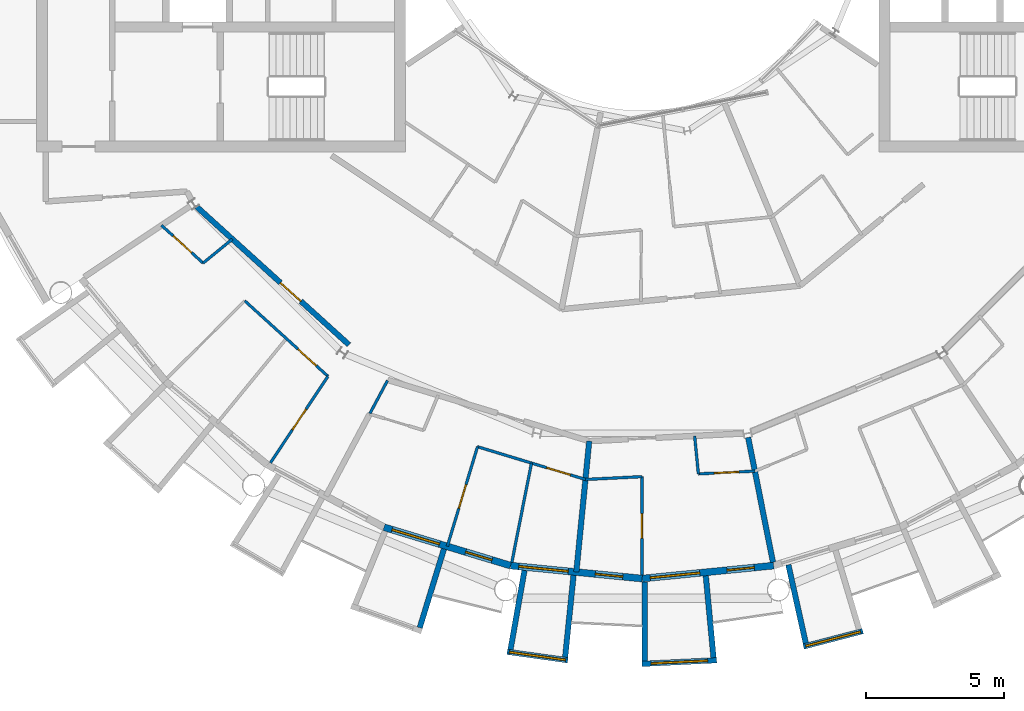
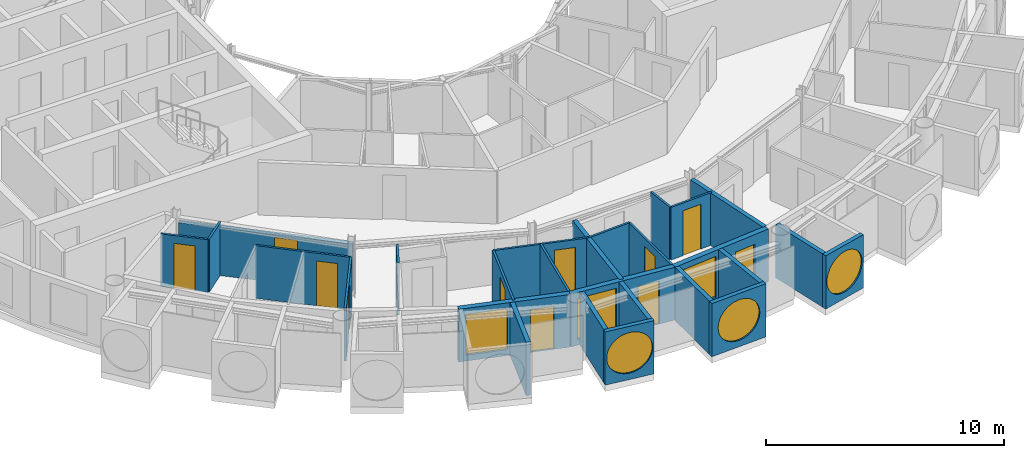
# One storey, part 14 of 27: 27 walls, 11 doors, 6 windows, 17 openings.
"""IFC4 building model written with IfcOpenShell, lengths in metres."""

from ifc_helpers import new_model, si_unit, direction, frame, frame_2d, origin, place, context, subcontext, project, spatial, rectangle, circle, extrude, material, layer, layer_set, type_object, element, fill, save


model = new_model("IFC4")

# Units and contexts
model_context = context("Model", 3, precision=1e-05, world=origin(), true_north=direction((0.0, 1.0)))
body_context = subcontext(model_context, "Body", "Model", "MODEL_VIEW")
ifc_project = project(units=[si_unit("LENGTHUNIT", "METRE"), si_unit("AREAUNIT", "SQUARE_METRE"), si_unit("VOLUMEUNIT", "CUBIC_METRE"), si_unit("PLANEANGLEUNIT", "RADIAN"), si_unit("MASSUNIT", "GRAM", prefix="KILO")], contexts=[model_context])

# Site, building, storey
site_placement = place(None, origin())
site = spatial("IfcSite", under=ifc_project, at=site_placement, CompositionType="ELEMENT")
building_placement = place(site_placement, origin())
building = spatial("IfcBuilding", under=site, at=building_placement, Name="Maasbend Ring Residences", CompositionType="ELEMENT")
storey_placement = place(building_placement, frame((0.0, 0.0, 240.14990234375)))
storey = spatial("IfcBuildingStorey", under=building, at=storey_placement, Name="L69", CompositionType="ELEMENT", Elevation=240.14990234375)

# Wall, opening, door
ifc_material_1 = material(Name="Concrete C30/37", Category="concrete")
ifc_layer_1 = layer(ifc_material_1, 0.199951171875)
ifc_layer_set_1 = layer_set([ifc_layer_1], Name="Concrete C30/37")
wall_type_1 = type_object("IfcWallType", Name="CORRIDOR WALL 200 CONCRETE", PredefinedType="PARTITIONING", material=ifc_layer_set_1)
wall_1_placement = place(storey_placement, frame((-16.181884765625, -10.992919921875, 0.0), z_axis=(0.0, 0.0, 1.0), x_axis=(0.740939653983, -0.671571611339, 0.0)))
wall_1 = element("IfcWall", 1, at=wall_1_placement, inside=storey, type_object=wall_type_1, Name="U-L69-w019", PredefinedType="PARTITIONING", context=body_context, shape_type="SweptSolid", body=[
    extrude(rectangle(XDim=7.46484375, YDim=0.199951171875, at=frame_2d((3.732421875, 0.0))), origin(), (0.0, 0.0, 1.0), 2.4501953125),
])
opening_1_placement = place(wall_1_placement, frame((4.10693359375, 0.0, 0.0)))
opening_1 = element("IfcOpeningElement", 2, at=opening_1_placement, cuts=wall_1, Name="Opening D-6932", PredefinedType="OPENING", context=body_context, shape_type="SweptSolid", body=[
    extrude(rectangle(XDim=1.0, YDim=2.300048828125, at=frame_2d((0.5, 1.14990234375))), frame((0.0, 0.10986328125, 0.0), z_axis=(0.0, -1.0, 0.0), x_axis=(1.0, 0.0, 0.0)), (0.0, 0.0, 1.0), 0.219970703125),
])
ifc_material_2 = material(Name="Timber, fire-rated, painted", Category="wood")
door_type_1 = type_object("IfcDoorType", Name="FLAT ENTRANCE DOOR 1000 X 2300 FIRE-RATED", OperationType="NOTDEFINED", PredefinedType="DOOR", material=ifc_material_2)
door_1_placement = place(opening_1_placement, origin())
door_1 = element("IfcDoor", 3, at=door_1_placement, inside=storey, type_object=door_type_1, Name="D-6932", OperationType="SINGLE_SWING_RIGHT", OverallHeight=2.300048828125, OverallWidth=1.0, PredefinedType="DOOR", context=body_context, shape_type="SweptSolid", body=[
    extrude(rectangle(XDim=1.0, YDim=2.300048828125, at=frame_2d((0.5, 1.14990234375))), frame((0.0, 0.02490234375, 0.0), z_axis=(0.0, -1.0, 0.0), x_axis=(1.0, 0.0, 0.0)), (0.0, 0.0, 1.0), 0.050048828125),
])
fill(opening_1, door_1)

# Wall
ifc_material_3 = material(Name="Pale anodised aluminium panel", Category="aluminium")
ifc_layer_2 = layer(ifc_material_3, 0.199951171875)
ifc_layer_set_2 = layer_set([ifc_layer_2], Name="EW-BOX")
wall_type_2 = type_object("IfcWallType", Name="EW-BOX", PredefinedType="SOLIDWALL", material=ifc_layer_set_2)
wall_2_placement = place(storey_placement, frame((-7.198974609375, -23.426025390625, -0.02978515625), z_axis=(0.0, 0.0, 1.0), x_axis=(-0.293764720054, -0.95587775853, 0.0)))
element("IfcWall", 4, at=wall_2_placement, inside=storey, type_object=wall_type_2, Name="Box side wall S07 right", PredefinedType="SOLIDWALL", context=body_context, shape_type="SweptSolid", body=[
    extrude(rectangle(XDim=2.991943359375, YDim=0.199951171875, at=frame_2d((1.49609375, 0.0))), origin(), (0.0, 0.0, 1.0), 2.72998046875),
])

# Wall, opening, window
wall_3_placement = place(storey_placement, frame((-4.90087890625, -27.160888671875, -0.02978515625), z_axis=(0.0, 0.0, 1.0), x_axis=(0.990395097224, -0.138266233748, 0.0)))
wall_3 = element("IfcWall", 5, at=wall_3_placement, inside=storey, type_object=wall_type_2, Name="Box front S09", PredefinedType="SOLIDWALL", context=body_context, shape_type="SweptSolid", body=[
    extrude(rectangle(XDim=2.22119140625, YDim=0.199951171875, at=frame_2d((1.110595703125, 0.0))), origin(), (0.0, 0.0, 1.0), 2.72998046875),
])
opening_2_placement = place(wall_3_placement, frame((0.070556640625, 0.0, 0.330078125)))
opening_2 = element("IfcOpeningElement", 6, at=opening_2_placement, cuts=wall_3, Name="Opening W-RD", PredefinedType="OPENING", context=body_context, shape_type="SweptSolid", body=[
    extrude(circle(Radius=1.0400390625, at=frame_2d((1.0400390625, 1.0400390625))), frame((0.0, 0.10986328125, 0.0), z_axis=(0.0, -1.0, 0.0), x_axis=(1.0, 0.0, 0.0)), (0.0, 0.0, 1.0), 0.219970703125),
])
ifc_material_4 = material(Name="Aluminium and clear glass", Category="aluminium")
window_type_1 = type_object("IfcWindowType", Name="W-RD", PartitioningType="SINGLE_PANEL", PredefinedType="WINDOW", material=ifc_material_4)
window_1_placement = place(opening_2_placement, origin())
window_1 = element("IfcWindow", 7, at=window_1_placement, inside=storey, type_object=window_type_1, Name="Round window S09", OverallHeight=2.080078125, OverallWidth=2.080078125, PartitioningType="SINGLE_PANEL", PredefinedType="WINDOW", context=body_context, shape_type="SweptSolid", body=[
    extrude(circle(Radius=1.0400390625, at=frame_2d((1.0400390625, 1.0400390625))), frame((0.0, 0.030029296875, 0.0), z_axis=(0.0, -1.0, 0.0), x_axis=(1.0, 0.0, 0.0)), (0.0, 0.0, 1.0), 0.06005859375),
])
fill(opening_2, window_1)

# Walls
wall_4_placement = place(storey_placement, frame((-4.27392578125, -24.205078125, -0.02978515625), z_axis=(0.0, 0.0, 1.0), x_axis=(-0.173637488752, -0.984809637697, 0.0)))
element("IfcWall", 8, at=wall_4_placement, inside=storey, type_object=wall_type_2, Name="Box side wall S09 left", PredefinedType="SOLIDWALL", context=body_context, shape_type="SweptSolid", body=[
    extrude(rectangle(XDim=2.92041015625, YDim=0.199951171875, at=frame_2d((1.460205078125, 0.0))), origin(), (0.0, 0.0, 1.0), 2.72998046875),
])
wall_5_placement = place(storey_placement, frame((-2.489990234375, -24.3798828125, -0.02978515625), z_axis=(0.0, 0.0, 1.0), x_axis=(-0.101894312119, -0.994795229762, 0.0)))
element("IfcWall", 9, at=wall_5_placement, inside=storey, type_object=wall_type_2, Name="Box side wall S09 right", PredefinedType="SOLIDWALL", context=body_context, shape_type="SweptSolid", body=[
    extrude(rectangle(XDim=2.99267578125, YDim=0.199951171875, at=frame_2d((1.496337890625, 0.0))), origin(), (0.0, 0.0, 1.0), 2.72998046875),
])

# Wall, opening, window
wall_6_placement = place(storey_placement, frame((-0.0048828125, -27.60009765625, -0.02978515625), z_axis=(0.0, 0.0, 1.0), x_axis=(0.998801130548, 0.048952033826, 0.0)))
wall_6 = element("IfcWall", 10, at=wall_6_placement, inside=storey, type_object=wall_type_2, Name="Box front S11", PredefinedType="SOLIDWALL", context=body_context, shape_type="SweptSolid", body=[
    extrude(rectangle(XDim=2.718017578125, YDim=0.199951171875, at=frame_2d((1.35888671875, 0.0))), origin(), (0.0, 0.0, 1.0), 2.72998046875),
])
opening_3_placement = place(wall_6_placement, frame((0.319091796875, 0.0, 0.330078125)))
opening_3 = element("IfcOpeningElement", 11, at=opening_3_placement, cuts=wall_6, Name="Opening W-RD", PredefinedType="OPENING", context=body_context, shape_type="SweptSolid", body=[
    extrude(circle(Radius=1.0400390625, at=frame_2d((1.0400390625, 1.0400390625))), frame((0.0, 0.10986328125, 0.0), z_axis=(0.0, -1.0, 0.0), x_axis=(1.0, 0.0, 0.0)), (0.0, 0.0, 1.0), 0.219970703125),
])
window_2_placement = place(opening_3_placement, origin())
window_2 = element("IfcWindow", 12, at=window_2_placement, inside=storey, type_object=window_type_1, Name="Round window S11", OverallHeight=2.080078125, OverallWidth=2.080078125, PartitioningType="SINGLE_PANEL", PredefinedType="WINDOW", context=body_context, shape_type="SweptSolid", body=[
    extrude(circle(Radius=1.0400390625, at=frame_2d((1.0400390625, 1.0400390625))), frame((0.0, 0.030029296875, 0.0), z_axis=(0.0, -1.0, 0.0), x_axis=(1.0, 0.0, 0.0)), (0.0, 0.0, 1.0), 0.06005859375),
])
fill(opening_3, window_2)

# Walls
wall_7_placement = place(storey_placement, frame((0.089111328125, -24.616943359375, -0.02978515625), z_axis=(0.0, 0.0, 1.0), x_axis=(0.003811916396, -0.99999273462, 0.0)))
element("IfcWall", 13, at=wall_7_placement, inside=storey, type_object=wall_type_2, Name="Box side wall S11 left", PredefinedType="SOLIDWALL", context=body_context, shape_type="SweptSolid", body=[
    extrude(rectangle(XDim=2.882080078125, YDim=0.199951171875, at=frame_2d((1.44091796875, 0.0))), origin(), (0.0, 0.0, 1.0), 2.72998046875),
])
wall_8_placement = place(storey_placement, frame((2.31396484375, -24.39794921875, -0.02978515625), z_axis=(0.0, 0.0, 1.0), x_axis=(0.094235386483, -0.99554994447, 0.0)))
element("IfcWall", 14, at=wall_8_placement, inside=storey, type_object=wall_type_2, Name="Box side wall S11 right", PredefinedType="SOLIDWALL", context=body_context, shape_type="SweptSolid", body=[
    extrude(rectangle(XDim=2.992431640625, YDim=0.199951171875, at=frame_2d((1.49609375, 0.0))), origin(), (0.0, 0.0, 1.0), 2.72998046875),
])

# Wall, opening, window
wall_9_placement = place(storey_placement, frame((5.865966796875, -26.969970703125, -0.02978515625), z_axis=(0.0, 0.0, 1.0), x_axis=(0.967710555359, 0.252064041557, 0.0)))
wall_9 = element("IfcWall", 15, at=wall_9_placement, inside=storey, type_object=wall_type_2, Name="Box front S13", PredefinedType="SOLIDWALL", context=body_context, shape_type="SweptSolid", body=[
    extrude(rectangle(XDim=2.221923828125, YDim=0.199951171875, at=frame_2d((1.11083984375, 0.0))), origin(), (0.0, 0.0, 1.0), 2.72998046875),
])
opening_4_placement = place(wall_9_placement, frame((0.070556640625, 0.0, 0.330078125)))
opening_4 = element("IfcOpeningElement", 16, at=opening_4_placement, cuts=wall_9, Name="Opening W-RD", PredefinedType="OPENING", context=body_context, shape_type="SweptSolid", body=[
    extrude(circle(Radius=1.0400390625, at=frame_2d((1.0400390625, 1.0400390625))), frame((0.0, 0.10986328125, 0.0), z_axis=(0.0, -1.0, 0.0), x_axis=(1.0, 0.0, 0.0)), (0.0, 0.0, 1.0), 0.219970703125),
])
window_3_placement = place(opening_4_placement, origin())
window_3 = element("IfcWindow", 17, at=window_3_placement, inside=storey, type_object=window_type_1, Name="Round window S13", OverallHeight=2.080078125, OverallWidth=2.080078125, PartitioningType="SINGLE_PANEL", PredefinedType="WINDOW", context=body_context, shape_type="SweptSolid", body=[
    extrude(circle(Radius=1.0400390625, at=frame_2d((1.0400390625, 1.0400390625))), frame((0.0, 0.030029296875, 0.0), z_axis=(0.0, -1.0, 0.0), x_axis=(1.0, 0.0, 0.0)), (0.0, 0.0, 1.0), 0.06005859375),
])
fill(opening_4, window_3)

# Wall
wall_10_placement = place(storey_placement, frame((5.31396484375, -23.998046875, -0.02978515625), z_axis=(0.0, 0.0, 1.0), x_axis=(0.216443576636, -0.976295128603, 0.0)))
element("IfcWall", 18, at=wall_10_placement, inside=storey, type_object=wall_type_2, Name="Box side wall S13 left", PredefinedType="SOLIDWALL", context=body_context, shape_type="SweptSolid", body=[
    extrude(rectangle(XDim=2.92041015625, YDim=0.199951171875, at=frame_2d((1.460205078125, 0.0))), origin(), (0.0, 0.0, 1.0), 2.72998046875),
])

# Wall, openings, door, window
ifc_material_5 = material(Name="Aluminium clad insulated panel", Category="aluminium")
ifc_layer_3 = layer(ifc_material_5, 0.25)
ifc_layer_set_3 = layer_set([ifc_layer_3], Name="EW-GL")
wall_type_3 = type_object("IfcWallType", Name="EW-GL", PredefinedType="SOLIDWALL", material=ifc_layer_set_3)
wall_11_placement = place(storey_placement, frame((-9.3759765625, -22.635009765625, 0.0), z_axis=(0.0, 0.0, 1.0), x_axis=(0.956947414517, -0.290261340605, 0.0)))
wall_11 = element("IfcWall", 19, at=wall_11_placement, inside=storey, type_object=wall_type_3, Name="External wall S04", PredefinedType="SOLIDWALL", context=body_context, shape_type="SweptSolid", body=[
    extrude(rectangle(XDim=4.802734375, YDim=0.25, at=frame_2d((2.4013671875, 0.0))), origin(), (0.0, 0.0, 1.0), 2.7001953125),
])
opening_5_placement = place(wall_11_placement, frame((0.3037109375, 0.0, 0.300048828125)))
opening_5 = element("IfcOpeningElement", 20, at=opening_5_placement, cuts=wall_11, Name="Opening W-BX", PredefinedType="OPENING", context=body_context, shape_type="SweptSolid", body=[
    extrude(rectangle(XDim=1.800048828125, YDim=2.10009765625, at=frame_2d((0.89990234375, 1.050048828125))), frame((0.0, 0.135009765625, 0.0), z_axis=(0.0, -1.0, 0.0), x_axis=(1.0, 0.0, 0.0)), (0.0, 0.0, 1.0), 0.27001953125),
])
opening_6_placement = place(wall_11_placement, frame((3.09912109375, 0.0, 0.0)))
opening_6 = element("IfcOpeningElement", 21, at=opening_6_placement, cuts=wall_11, Name="Opening D-LG", PredefinedType="OPENING", context=body_context, shape_type="SweptSolid", body=[
    extrude(rectangle(XDim=1.0, YDim=2.199951171875, at=frame_2d((0.5, 1.10009765625))), frame((0.0, 0.135009765625, 0.0), z_axis=(0.0, -1.0, 0.0), x_axis=(1.0, 0.0, 0.0)), (0.0, 0.0, 1.0), 0.27001953125),
])
ifc_material_6 = material(Name="Aluminium and clear glass", Category="aluminium")
door_type_2 = type_object("IfcDoorType", Name="D-LG", OperationType="SINGLE_SWING_LEFT", PredefinedType="DOOR", material=ifc_material_6)
door_2_placement = place(opening_6_placement, origin())
door_2 = element("IfcDoor", 22, at=door_2_placement, inside=storey, type_object=door_type_2, Name="Loggia door S08", OperationType="SINGLE_SWING_LEFT", OverallHeight=2.199951171875, OverallWidth=1.0, PredefinedType="DOOR", context=body_context, shape_type="SweptSolid", body=[
    extrude(rectangle(XDim=1.0, YDim=2.199951171875, at=frame_2d((0.5, 1.10009765625))), frame((0.0, 0.02490234375, 0.0), z_axis=(0.0, -1.0, 0.0), x_axis=(1.0, 0.0, 0.0)), (0.0, 0.0, 1.0), 0.050048828125),
])
fill(opening_6, door_2)
ifc_material_7 = material(Name="Aluminium and clear glass", Category="aluminium")
window_type_2 = type_object("IfcWindowType", Name="W-BX", PartitioningType="DOUBLE_PANEL_VERTICAL", PredefinedType="WINDOW", material=ifc_material_7)
window_4_placement = place(opening_5_placement, origin())
window_4 = element("IfcWindow", 23, at=window_4_placement, inside=storey, type_object=window_type_2, Name="Window S07 room to box", OverallHeight=2.10009765625, OverallWidth=1.800048828125, PartitioningType="SINGLE_PANEL", PredefinedType="WINDOW", context=body_context, shape_type="SweptSolid", body=[
    extrude(rectangle(XDim=1.800048828125, YDim=2.10009765625, at=frame_2d((0.89990234375, 1.050048828125))), frame((0.0, 0.030029296875, 0.0), z_axis=(0.0, -1.0, 0.0), x_axis=(1.0, 0.0, 0.0)), (0.0, 0.0, 1.0), 0.06005859375),
])
fill(opening_5, window_4)

wall_12_placement = place(storey_placement, frame((-4.780029296875, -24.029052734375, 0.0), z_axis=(0.0, 0.0, 1.0), x_axis=(0.995181568754, -0.098049197923, 0.0)))
wall_12 = element("IfcWall", 24, at=wall_12_placement, inside=storey, type_object=wall_type_3, Name="External wall S05", PredefinedType="SOLIDWALL", context=body_context, shape_type="SweptSolid", body=[
    extrude(rectangle(XDim=4.80322265625, YDim=0.25, at=frame_2d((2.401611328125, 0.0))), origin(), (0.0, 0.0, 1.0), 2.7001953125),
])
opening_7_placement = place(wall_12_placement, frame((0.3037109375, 0.0, 0.300048828125)))
opening_7 = element("IfcOpeningElement", 25, at=opening_7_placement, cuts=wall_12, Name="Opening W-BX", PredefinedType="OPENING", context=body_context, shape_type="SweptSolid", body=[
    extrude(rectangle(XDim=1.800048828125, YDim=2.10009765625, at=frame_2d((0.89990234375, 1.050048828125))), frame((0.0, 0.135009765625, 0.0), z_axis=(0.0, -1.0, 0.0), x_axis=(1.0, 0.0, 0.0)), (0.0, 0.0, 1.0), 0.27001953125),
])
opening_8_placement = place(wall_12_placement, frame((3.09912109375, 0.0, 0.0)))
opening_8 = element("IfcOpeningElement", 26, at=opening_8_placement, cuts=wall_12, Name="Opening D-LG", PredefinedType="OPENING", context=body_context, shape_type="SweptSolid", body=[
    extrude(rectangle(XDim=1.0, YDim=2.199951171875, at=frame_2d((0.5, 1.10009765625))), frame((0.0, 0.135009765625, 0.0), z_axis=(0.0, -1.0, 0.0), x_axis=(1.0, 0.0, 0.0)), (0.0, 0.0, 1.0), 0.27001953125),
])
door_3_placement = place(opening_8_placement, origin())
door_3 = element("IfcDoor", 27, at=door_3_placement, inside=storey, type_object=door_type_2, Name="Loggia door S10", OperationType="SINGLE_SWING_LEFT", OverallHeight=2.199951171875, OverallWidth=1.0, PredefinedType="DOOR", context=body_context, shape_type="SweptSolid", body=[
    extrude(rectangle(XDim=1.0, YDim=2.199951171875, at=frame_2d((0.5, 1.10009765625))), frame((0.0, 0.02490234375, 0.0), z_axis=(0.0, -1.0, 0.0), x_axis=(1.0, 0.0, 0.0)), (0.0, 0.0, 1.0), 0.050048828125),
])
fill(opening_8, door_3)
window_5_placement = place(opening_7_placement, origin())
window_5 = element("IfcWindow", 28, at=window_5_placement, inside=storey, type_object=window_type_2, Name="Window S09 room to box", OverallHeight=2.10009765625, OverallWidth=1.800048828125, PartitioningType="SINGLE_PANEL", PredefinedType="WINDOW", context=body_context, shape_type="SweptSolid", body=[
    extrude(rectangle(XDim=1.800048828125, YDim=2.10009765625, at=frame_2d((0.89990234375, 1.050048828125))), frame((0.0, 0.030029296875, 0.0), z_axis=(0.0, -1.0, 0.0), x_axis=(1.0, 0.0, 0.0)), (0.0, 0.0, 1.0), 0.06005859375),
])
fill(opening_7, window_5)

wall_13_placement = place(storey_placement, frame((0.0, -24.5, 0.0), z_axis=(0.0, 0.0, 1.0), x_axis=(0.995181568754, 0.098049197923, 0.0)))
wall_13 = element("IfcWall", 29, at=wall_13_placement, inside=storey, type_object=wall_type_3, Name="External wall S06", PredefinedType="SOLIDWALL", context=body_context, shape_type="SweptSolid", body=[
    extrude(rectangle(XDim=4.80322265625, YDim=0.25, at=frame_2d((2.401611328125, 0.0))), origin(), (0.0, 0.0, 1.0), 2.7001953125),
])
opening_9_placement = place(wall_13_placement, frame((0.3037109375, 0.0, 0.300048828125)))
opening_9 = element("IfcOpeningElement", 30, at=opening_9_placement, cuts=wall_13, Name="Opening W-BX", PredefinedType="OPENING", context=body_context, shape_type="SweptSolid", body=[
    extrude(rectangle(XDim=1.800048828125, YDim=2.10009765625, at=frame_2d((0.89990234375, 1.050048828125))), frame((0.0, 0.135009765625, 0.0), z_axis=(0.0, -1.0, 0.0), x_axis=(1.0, 0.0, 0.0)), (0.0, 0.0, 1.0), 0.27001953125),
])
opening_10_placement = place(wall_13_placement, frame((3.09912109375, 0.0, 0.0)))
opening_10 = element("IfcOpeningElement", 31, at=opening_10_placement, cuts=wall_13, Name="Opening D-LG", PredefinedType="OPENING", context=body_context, shape_type="SweptSolid", body=[
    extrude(rectangle(XDim=1.0, YDim=2.199951171875, at=frame_2d((0.5, 1.10009765625))), frame((0.0, 0.135009765625, 0.0), z_axis=(0.0, -1.0, 0.0), x_axis=(1.0, 0.0, 0.0)), (0.0, 0.0, 1.0), 0.27001953125),
])
door_4_placement = place(opening_10_placement, origin())
door_4 = element("IfcDoor", 32, at=door_4_placement, inside=storey, type_object=door_type_2, Name="Loggia door S12", OperationType="SINGLE_SWING_LEFT", OverallHeight=2.199951171875, OverallWidth=1.0, PredefinedType="DOOR", context=body_context, shape_type="SweptSolid", body=[
    extrude(rectangle(XDim=1.0, YDim=2.199951171875, at=frame_2d((0.5, 1.10009765625))), frame((0.0, 0.02490234375, 0.0), z_axis=(0.0, -1.0, 0.0), x_axis=(1.0, 0.0, 0.0)), (0.0, 0.0, 1.0), 0.050048828125),
])
fill(opening_10, door_4)
window_6_placement = place(opening_9_placement, origin())
window_6 = element("IfcWindow", 33, at=window_6_placement, inside=storey, type_object=window_type_2, Name="Window S11 room to box", OverallHeight=2.10009765625, OverallWidth=1.800048828125, PartitioningType="SINGLE_PANEL", PredefinedType="WINDOW", context=body_context, shape_type="SweptSolid", body=[
    extrude(rectangle(XDim=1.800048828125, YDim=2.10009765625, at=frame_2d((0.89990234375, 1.050048828125))), frame((0.0, 0.030029296875, 0.0), z_axis=(0.0, -1.0, 0.0), x_axis=(1.0, 0.0, 0.0)), (0.0, 0.0, 1.0), 0.06005859375),
])
fill(opening_9, window_6)

# Wall
ifc_material_8 = material(Name="Gypsum board on steel studs", Category="steel")
ifc_layer_4 = layer(ifc_material_8, 0.10009765625)
ifc_layer_set_4 = layer_set([ifc_layer_4], Name="PARTITION 100 GYPSUM")
wall_type_4 = type_object("IfcWallType", Name="PARTITION 100 GYPSUM", PredefinedType="PARTITIONING", material=ifc_layer_set_4)
wall_14_placement = place(storey_placement, frame((-2.05810546875, -20.89892578125, 0.0), z_axis=(0.0, 0.0, 1.0), x_axis=(0.998793793092, 0.049101516075, 0.0)))
element("IfcWall", 34, at=wall_14_placement, inside=storey, type_object=wall_type_4, Name="U-L69-w003", PredefinedType="PARTITIONING", context=body_context, shape_type="SweptSolid", body=[
    extrude(rectangle(XDim=2.053466796875, YDim=0.10009765625, at=frame_2d((1.02685546875, 0.0))), origin(), (0.0, 0.0, 1.0), 2.7001953125),
])

# Wall, opening, door
wall_15_placement = place(storey_placement, frame((2.044921875, -20.697021484375, 0.0), z_axis=(0.0, 0.0, 1.0), x_axis=(0.998789106726, 0.049196750766, 0.0)))
wall_15 = element("IfcWall", 35, at=wall_15_placement, inside=storey, type_object=wall_type_4, Name="U-L69-w004", PredefinedType="PARTITIONING", context=body_context, shape_type="SweptSolid", body=[
    extrude(rectangle(XDim=2.054443359375, YDim=0.10009765625, at=frame_2d((1.02734375, 0.0))), origin(), (0.0, 0.0, 1.0), 2.7001953125),
])
opening_11_placement = place(wall_15_placement, frame((0.576904296875, 0.0, 0.0)))
opening_11 = element("IfcOpeningElement", 36, at=opening_11_placement, cuts=wall_15, Name="Opening D-6942", PredefinedType="OPENING", context=body_context, shape_type="SweptSolid", body=[
    extrude(rectangle(XDim=0.89990234375, YDim=2.300048828125, at=frame_2d((0.449951171875, 1.14990234375))), frame((0.0, 0.06005859375, 0.0), z_axis=(0.0, -1.0, 0.0), x_axis=(1.0, 0.0, 0.0)), (0.0, 0.0, 1.0), 0.1201171875),
])
ifc_material_9 = material(Name="Timber, painted", Category="wood")
door_type_3 = type_object("IfcDoorType", Name="INTERNAL DOOR 900 X 2300", OperationType="NOTDEFINED", PredefinedType="DOOR", material=ifc_material_9)
door_5_placement = place(opening_11_placement, origin())
door_5 = element("IfcDoor", 37, at=door_5_placement, inside=storey, type_object=door_type_3, Name="D-6942", OperationType="SINGLE_SWING_LEFT", OverallHeight=2.300048828125, OverallWidth=0.89990234375, PredefinedType="DOOR", context=body_context, shape_type="SweptSolid", body=[
    extrude(rectangle(XDim=0.89990234375, YDim=2.300048828125, at=frame_2d((0.449951171875, 1.14990234375))), frame((0.0, 0.02490234375, 0.0), z_axis=(0.0, -1.0, 0.0), x_axis=(1.0, 0.0, 0.0)), (0.0, 0.0, 1.0), 0.050048828125),
])
fill(opening_11, door_5)

wall_16_placement = place(storey_placement, frame((-5.98193359375, -19.708984375, 0.0), z_axis=(0.0, 0.0, 1.0), x_axis=(0.956962336556, -0.290212140362, 0.0)))
wall_16 = element("IfcWall", 38, at=wall_16_placement, inside=storey, type_object=wall_type_4, Name="U-L69-w006", PredefinedType="PARTITIONING", context=body_context, shape_type="SweptSolid", body=[
    extrude(rectangle(XDim=4.103515625, YDim=0.10009765625, at=frame_2d((2.0517578125, 0.0))), origin(), (0.0, 0.0, 1.0), 2.7001953125),
])
opening_12_placement = place(wall_16_placement, frame((2.6279296875, 0.0, 0.0)))
opening_12 = element("IfcOpeningElement", 39, at=opening_12_placement, cuts=wall_16, Name="Opening D-6940", PredefinedType="OPENING", context=body_context, shape_type="SweptSolid", body=[
    extrude(rectangle(XDim=0.89990234375, YDim=2.300048828125, at=frame_2d((0.449951171875, 1.14990234375))), frame((0.0, 0.06005859375, 0.0), z_axis=(0.0, -1.0, 0.0), x_axis=(1.0, 0.0, 0.0)), (0.0, 0.0, 1.0), 0.1201171875),
])
door_6_placement = place(opening_12_placement, origin())
door_6 = element("IfcDoor", 40, at=door_6_placement, inside=storey, type_object=door_type_3, Name="D-6940", OperationType="SINGLE_SWING_RIGHT", OverallHeight=2.300048828125, OverallWidth=0.89990234375, PredefinedType="DOOR", context=body_context, shape_type="SweptSolid", body=[
    extrude(rectangle(XDim=0.89990234375, YDim=2.300048828125, at=frame_2d((0.449951171875, 1.14990234375))), frame((0.0, 0.02490234375, 0.0), z_axis=(0.0, -1.0, 0.0), x_axis=(1.0, 0.0, 0.0)), (0.0, 0.0, 1.0), 0.050048828125),
])
fill(opening_12, door_6)

wall_17_placement = place(storey_placement, frame((-17.4609375, -11.6669921875, 0.0), z_axis=(0.0, 0.0, 1.0), x_axis=(0.740773018627, -0.671755412984, 0.0)))
wall_17 = element("IfcWall", 41, at=wall_17_placement, inside=storey, type_object=wall_type_4, Name="U-L69-w011", PredefinedType="PARTITIONING", context=body_context, shape_type="SweptSolid", body=[
    extrude(rectangle(XDim=2.041015625, YDim=0.10009765625, at=frame_2d((1.0205078125, 0.0))), origin(), (0.0, 0.0, 1.0), 2.7001953125),
])
opening_13_placement = place(wall_17_placement, frame((0.571044921875, 0.0, 0.0)))
opening_13 = element("IfcOpeningElement", 42, at=opening_13_placement, cuts=wall_17, Name="Opening D-6933", PredefinedType="OPENING", context=body_context, shape_type="SweptSolid", body=[
    extrude(rectangle(XDim=0.89990234375, YDim=2.300048828125, at=frame_2d((0.449951171875, 1.14990234375))), frame((0.0, 0.06005859375, 0.0), z_axis=(0.0, -1.0, 0.0), x_axis=(1.0, 0.0, 0.0)), (0.0, 0.0, 1.0), 0.1201171875),
])
door_7_placement = place(opening_13_placement, origin())
door_7 = element("IfcDoor", 43, at=door_7_placement, inside=storey, type_object=door_type_3, Name="D-6933", OperationType="SINGLE_SWING_LEFT", OverallHeight=2.300048828125, OverallWidth=0.89990234375, PredefinedType="DOOR", context=body_context, shape_type="SweptSolid", body=[
    extrude(rectangle(XDim=0.89990234375, YDim=2.300048828125, at=frame_2d((0.449951171875, 1.14990234375))), frame((0.0, 0.02490234375, 0.0), z_axis=(0.0, -1.0, 0.0), x_axis=(1.0, 0.0, 0.0)), (0.0, 0.0, 1.0), 0.050048828125),
])
fill(opening_13, door_7)

wall_18_placement = place(storey_placement, frame((-14.43701171875, -14.408935546875, 0.0), z_axis=(0.0, 0.0, 1.0), x_axis=(0.740802780294, -0.671722592078, 0.0)))
wall_18 = element("IfcWall", 44, at=wall_18_placement, inside=storey, type_object=wall_type_4, Name="U-L69-w012", PredefinedType="PARTITIONING", context=body_context, shape_type="SweptSolid", body=[
    extrude(rectangle(XDim=4.08203125, YDim=0.10009765625, at=frame_2d((2.041015625, 0.0))), origin(), (0.0, 0.0, 1.0), 2.7001953125),
])
opening_14_placement = place(wall_18_placement, frame((2.612060546875, 0.0, 0.0)))
opening_14 = element("IfcOpeningElement", 45, at=opening_14_placement, cuts=wall_18, Name="Opening D-6935", PredefinedType="OPENING", context=body_context, shape_type="SweptSolid", body=[
    extrude(rectangle(XDim=0.89990234375, YDim=2.300048828125, at=frame_2d((0.449951171875, 1.14990234375))), frame((0.0, 0.06005859375, 0.0), z_axis=(0.0, -1.0, 0.0), x_axis=(1.0, 0.0, 0.0)), (0.0, 0.0, 1.0), 0.1201171875),
])
door_8_placement = place(opening_14_placement, origin())
door_8 = element("IfcDoor", 46, at=door_8_placement, inside=storey, type_object=door_type_3, Name="D-6935", OperationType="SINGLE_SWING_RIGHT", OverallHeight=2.300048828125, OverallWidth=0.89990234375, PredefinedType="DOOR", context=body_context, shape_type="SweptSolid", body=[
    extrude(rectangle(XDim=0.89990234375, YDim=2.300048828125, at=frame_2d((0.449951171875, 1.14990234375))), frame((0.0, 0.02490234375, 0.0), z_axis=(0.0, -1.0, 0.0), x_axis=(1.0, 0.0, 0.0)), (0.0, 0.0, 1.0), 0.050048828125),
])
fill(opening_14, door_8)

# Wall
wall_19_placement = place(storey_placement, frame((-15.948974609375, -13.0380859375, 0.0), z_axis=(0.0, 0.0, 1.0), x_axis=(0.774099733189, 0.633063664315, 0.0)))
element("IfcWall", 47, at=wall_19_placement, inside=storey, type_object=wall_type_4, Name="U-L69-w038", PredefinedType="PARTITIONING", context=body_context, shape_type="SweptSolid", body=[
    extrude(rectangle(XDim=1.37451171875, YDim=0.10009765625, at=frame_2d((0.687255859375, 0.0))), origin(), (0.0, 0.0, 1.0), 2.7001953125),
])

# Wall, opening, door
wall_20_placement = place(storey_placement, frame((-13.5029296875, -20.29296875, 0.0), z_axis=(0.0, 0.0, 1.0), x_axis=(0.553864135342, 0.832607061933, 0.0)))
wall_20 = element("IfcWall", 48, at=wall_20_placement, inside=storey, type_object=wall_type_4, Name="U-L69-w042", PredefinedType="PARTITIONING", context=body_context, shape_type="SweptSolid", body=[
    extrude(rectangle(XDim=3.77490234375, YDim=0.10009765625, at=frame_2d((1.887451171875, 0.0))), origin(), (0.0, 0.0, 1.0), 2.7001953125),
])
opening_15_placement = place(wall_20_placement, frame((1.43798828125, 0.0, 0.0)))
opening_15 = element("IfcOpeningElement", 49, at=opening_15_placement, cuts=wall_20, Name="Opening D-6936", PredefinedType="OPENING", context=body_context, shape_type="SweptSolid", body=[
    extrude(rectangle(XDim=0.89990234375, YDim=2.300048828125, at=frame_2d((0.449951171875, 1.14990234375))), frame((0.0, 0.06005859375, 0.0), z_axis=(0.0, -1.0, 0.0), x_axis=(1.0, 0.0, 0.0)), (0.0, 0.0, 1.0), 0.1201171875),
])
door_9_placement = place(opening_15_placement, origin())
door_9 = element("IfcDoor", 50, at=door_9_placement, inside=storey, type_object=door_type_3, Name="D-6936", OperationType="SINGLE_SWING_LEFT", OverallHeight=2.300048828125, OverallWidth=0.89990234375, PredefinedType="DOOR", context=body_context, shape_type="SweptSolid", body=[
    extrude(rectangle(XDim=0.89990234375, YDim=2.300048828125, at=frame_2d((0.449951171875, 1.14990234375))), frame((0.0, 0.02490234375, 0.0), z_axis=(0.0, -1.0, 0.0), x_axis=(1.0, 0.0, 0.0)), (0.0, 0.0, 1.0), 0.050048828125),
])
fill(opening_15, door_9)

wall_21_placement = place(storey_placement, frame((-7.075927734375, -23.324951171875, 0.0), z_axis=(0.0, 0.0, 1.0), x_axis=(0.290364312451, 0.956916175041, 0.0)))
wall_21 = element("IfcWall", 51, at=wall_21_placement, inside=storey, type_object=wall_type_4, Name="U-L69-w050", PredefinedType="PARTITIONING", context=body_context, shape_type="SweptSolid", body=[
    extrude(rectangle(XDim=3.77783203125, YDim=0.10009765625, at=frame_2d((1.888916015625, 0.0))), origin(), (0.0, 0.0, 1.0), 2.7001953125),
])
opening_16_placement = place(wall_21_placement, frame((1.43896484375, 0.0, 0.0)))
opening_16 = element("IfcOpeningElement", 52, at=opening_16_placement, cuts=wall_21, Name="Opening D-6939", PredefinedType="OPENING", context=body_context, shape_type="SweptSolid", body=[
    extrude(rectangle(XDim=0.89990234375, YDim=2.300048828125, at=frame_2d((0.449951171875, 1.14990234375))), frame((0.0, 0.06005859375, 0.0), z_axis=(0.0, -1.0, 0.0), x_axis=(1.0, 0.0, 0.0)), (0.0, 0.0, 1.0), 0.1201171875),
])
door_10_placement = place(opening_16_placement, origin())
door_10 = element("IfcDoor", 53, at=door_10_placement, inside=storey, type_object=door_type_3, Name="D-6939", OperationType="SINGLE_SWING_RIGHT", OverallHeight=2.300048828125, OverallWidth=0.89990234375, PredefinedType="DOOR", context=body_context, shape_type="SweptSolid", body=[
    extrude(rectangle(XDim=0.89990234375, YDim=2.300048828125, at=frame_2d((0.449951171875, 1.14990234375))), frame((0.0, 0.02490234375, 0.0), z_axis=(0.0, -1.0, 0.0), x_axis=(1.0, 0.0, 0.0)), (0.0, 0.0, 1.0), 0.050048828125),
])
fill(opening_16, door_10)

wall_22_placement = place(storey_placement, frame((-0.008056640625, -24.375, 0.0), z_axis=(0.0, 0.0, 1.0), x_axis=(0.000273018896, 0.99999996273, 0.0)))
wall_22 = element("IfcWall", 54, at=wall_22_placement, inside=storey, type_object=wall_type_4, Name="U-L69-w063", PredefinedType="PARTITIONING", context=body_context, shape_type="SweptSolid", body=[
    extrude(rectangle(XDim=3.576904296875, YDim=0.10009765625, at=frame_2d((1.78857421875, 0.0))), origin(), (0.0, 0.0, 1.0), 2.7001953125),
])
opening_17_placement = place(wall_22_placement, frame((1.339111328125, 0.0, 0.0)))
opening_17 = element("IfcOpeningElement", 55, at=opening_17_placement, cuts=wall_22, Name="Opening D-6943", PredefinedType="OPENING", context=body_context, shape_type="SweptSolid", body=[
    extrude(rectangle(XDim=0.89990234375, YDim=2.300048828125, at=frame_2d((0.449951171875, 1.14990234375))), frame((0.0, 0.06005859375, 0.0), z_axis=(0.0, -1.0, 0.0), x_axis=(1.0, 0.0, 0.0)), (0.0, 0.0, 1.0), 0.1201171875),
])
door_11_placement = place(opening_17_placement, origin())
door_11 = element("IfcDoor", 56, at=door_11_placement, inside=storey, type_object=door_type_3, Name="D-6943", OperationType="SINGLE_SWING_LEFT", OverallHeight=2.300048828125, OverallWidth=0.89990234375, PredefinedType="DOOR", context=body_context, shape_type="SweptSolid", body=[
    extrude(rectangle(XDim=0.89990234375, YDim=2.300048828125, at=frame_2d((0.449951171875, 1.14990234375))), frame((0.0, 0.02490234375, 0.0), z_axis=(0.0, -1.0, 0.0), x_axis=(1.0, 0.0, 0.0)), (0.0, 0.0, 1.0), 0.050048828125),
])
fill(opening_17, door_11)

# Walls
wall_23_placement = place(storey_placement, frame((-4.73193359375, -23.910888671875, 0.0), z_axis=(0.0, 0.0, 1.0), x_axis=(0.19389371997, 0.981022540697, 0.0)))
element("IfcWall", 57, at=wall_23_placement, inside=storey, type_object=wall_type_4, Name="U-L69-w093", PredefinedType="PARTITIONING", context=body_context, shape_type="SweptSolid", body=[
    extrude(rectangle(XDim=3.6767578125, YDim=0.10009765625, at=frame_2d((1.83837890625, 0.0))), origin(), (0.0, 0.0, 1.0), 2.7001953125),
])
wall_24_placement = place(storey_placement, frame((1.908935546875, -19.31689453125, 0.0), z_axis=(0.0, 0.0, 1.0), x_axis=(0.098056909707, -0.995180808928, 0.0)))
element("IfcWall", 58, at=wall_24_placement, inside=storey, type_object=wall_type_4, Name="U-L69-w094", PredefinedType="PARTITIONING", context=body_context, shape_type="SweptSolid", body=[
    extrude(rectangle(XDim=1.38671875, YDim=0.10009765625, at=frame_2d((0.693359375, 0.0))), origin(), (0.0, 0.0, 1.0), 2.7001953125),
])
wall_25_placement = place(storey_placement, frame((-9.888916015625, -18.501953125, 0.0), z_axis=(0.0, 0.0, 1.0), x_axis=(0.471138605408, 0.882059189904, 0.0)))
element("IfcWall", 59, at=wall_25_placement, inside=storey, type_object=wall_type_4, Name="U-L69-w128", PredefinedType="PARTITIONING", context=body_context, shape_type="SweptSolid", body=[
    extrude(rectangle(XDim=1.358154296875, YDim=0.10009765625, at=frame_2d((0.67919921875, 0.0))), origin(), (0.0, 0.0, 1.0), 2.7001953125),
])
ifc_material_10 = material(Name="Concrete C30/37", Category="concrete")
ifc_layer_5 = layer(ifc_material_10, 0.199951171875)
ifc_layer_set_5 = layer_set([ifc_layer_5], Name="Concrete C30/37")
wall_type_5 = type_object("IfcWallType", Name="PARTY WALL 200 CONCRETE", PredefinedType="PARTITIONING", material=ifc_layer_set_5)
wall_26_placement = place(storey_placement, frame((-2.388916015625, -24.258056640625, 0.0), z_axis=(0.0, 0.0, 1.0), x_axis=(0.098015283173, 0.995184909584, 0.0)))
element("IfcWall", 60, at=wall_26_placement, inside=storey, type_object=wall_type_5, Name="U-L69-w058", PredefinedType="PARTITIONING", context=body_context, shape_type="SweptSolid", body=[
    extrude(rectangle(XDim=4.77490234375, YDim=0.199951171875, at=frame_2d((2.387451171875, 0.0))), origin(), (0.0, 0.0, 1.0), 2.7001953125),
])
wall_27_placement = place(storey_placement, frame((3.85302734375, -19.3701171875, 0.0), z_axis=(0.0, 0.0, 1.0), x_axis=(0.194969052557, -0.980809394605, 0.0)))
element("IfcWall", 61, at=wall_27_placement, inside=storey, type_object=wall_type_5, Name="U-L69-w071", PredefinedType="PARTITIONING", context=body_context, shape_type="SweptSolid", body=[
    extrude(rectangle(XDim=4.625732421875, YDim=0.199951171875, at=frame_2d((2.31298828125, 0.0))), origin(), (0.0, 0.0, 1.0), 2.7001953125),
])

save(model, "model.ifc")
